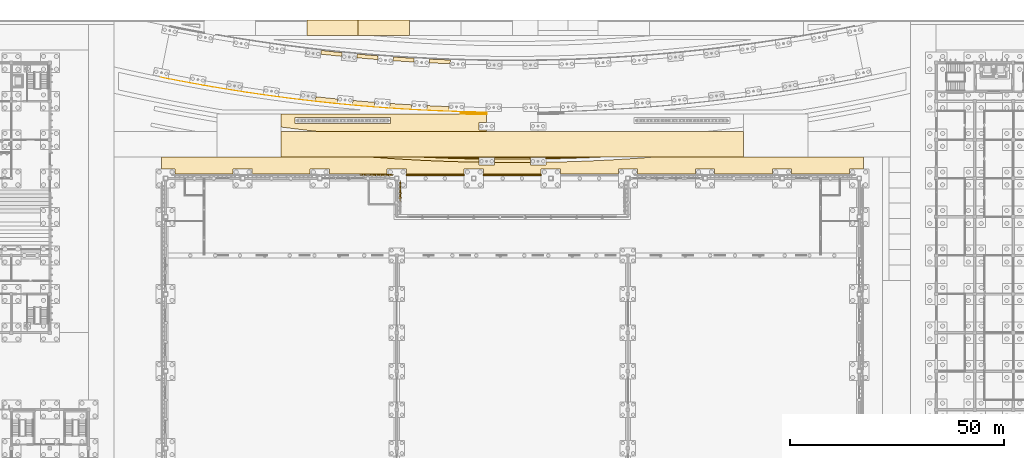
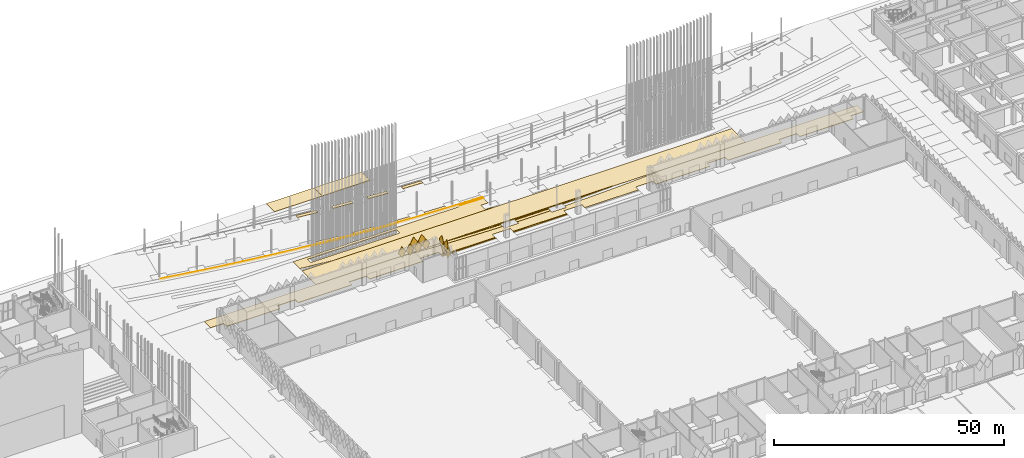
# One storey, part 172 of 198: 29 coverings.
"""IFC4 building model written with IfcOpenShell, lengths in metres."""

from ifc_helpers import new_model, si_unit, direction, frame, origin, place, context, subcontext, project, spatial, polyline, outline, extrude, material, layer, layer_set, material_profile, profile_set, type_object, element, save


model = new_model("IFC4")

# Units and contexts
model_context = context("Model", 3, precision=1e-05, world=origin(), true_north=direction((0.0, 1.0)))
body_context = subcontext(model_context, "Body", "Model", "MODEL_VIEW")
ifc_project = project(units=[si_unit("LENGTHUNIT", "METRE"), si_unit("AREAUNIT", "SQUARE_METRE"), si_unit("VOLUMEUNIT", "CUBIC_METRE"), si_unit("PLANEANGLEUNIT", "RADIAN"), si_unit("MASSUNIT", "GRAM", prefix="KILO")], contexts=[model_context])

# Site, building, storey
site_placement = place(None, origin())
site = spatial("IfcSite", under=ifc_project, at=site_placement, CompositionType="ELEMENT")
building_placement = place(site_placement, origin())
building = spatial("IfcBuilding", under=site, at=building_placement, Name="Opaline Strait Convention Centre", CompositionType="ELEMENT")
storey_placement = place(building_placement, origin())
storey = spatial("IfcBuildingStorey", under=building, at=storey_placement, Name="L00", CompositionType="ELEMENT", Elevation=0.0)

# Coverings
ifc_material_1 = material(Name="Asphalt road surfacing")
ifc_layer_1 = layer(ifc_material_1, 0.14990234375)
ifc_layer_set_1 = layer_set([ifc_layer_1], Name="Asphalt road surfacing")
covering_type_1 = type_object("IfcCoveringType", Name="Asphalt road surfacing 150", PredefinedType="FLOORING", material=ifc_layer_set_1)
covering_1_placement = place(storey_placement, frame((0.0, 0.0, -0.14990234375)))
element("IfcCovering", 1, at=covering_1_placement, inside=storey, type_object=covering_type_1, Name="Coach Bay 3 surfacing", PredefinedType="FLOORING", context=body_context, shape_type="SweptSolid", body=[
    extrude(outline(polyline([(132.0, 190.0), (132.0, 186.39990234375), (144.0, 186.39990234375), (144.0, 190.0), (132.0, 190.0)])), origin(), (0.0, 0.0, 1.0), 0.14990234375),
])
covering_2_placement = place(storey_placement, frame((0.0, 0.0, -0.14990234375)))
element("IfcCovering", 2, at=covering_2_placement, inside=storey, type_object=covering_type_1, Name="Coach Bay 4 surfacing", PredefinedType="FLOORING", context=body_context, shape_type="SweptSolid", body=[
    extrude(outline(polyline([(144.0, 190.0), (144.0, 186.39990234375), (156.0, 186.39990234375), (156.0, 190.0), (144.0, 190.0)])), origin(), (0.0, 0.0, 1.0), 0.14990234375),
])
ifc_material_2 = material(Name="White ceramic-faced aluminium tile", Category="aluminium")
ifc_material_profile_1 = material_profile(ifc_material_2, outline(polyline([(0.927978515625, 0.0), (0.0, 1.39208984375), (-0.927978515625, 0.0), (0.0, -1.39208984375), (0.927978515625, 0.0)])), Name="Diamond tile 1856x2784")
ifc_profile_set_1 = profile_set([ifc_material_profile_1], Name="White ceramic-faced aluminium tile")
covering_type_2 = type_object("IfcCoveringType", Name="Diamond wall tile 1856x2784x30 pivot 5 deg", PredefinedType="CLADDING", material=ifc_profile_set_1)
covering_3_placement = place(storey_placement, frame((153.800048828125, 151.5, 5.89208984375), z_axis=(0.995959849254, 0.0, -0.089799658539), x_axis=(0.0, 1.0, 0.0)))
element("IfcCovering", 3, at=covering_3_placement, inside=storey, type_object=covering_type_2, Name="Wall tile XT10 RW", PredefinedType="CLADDING", context=body_context, shape_type="SweptSolid", body=[
    extrude(outline(polyline([(0.927978515625, 0.0), (0.0, 1.39208984375), (-0.927978515625, 0.0), (0.0, -1.39208984375), (0.927978515625, 0.0)])), origin(), (0.0, 0.0, 1.0), 0.02978515625),
])
ifc_material_profile_2 = material_profile(ifc_material_2, outline(polyline([(0.927978515625, 0.0), (0.0, 1.39208984375), (-0.927978515625, 0.0), (0.0, -1.39208984375), (0.927978515625, 0.0)])), Name="Diamond tile 1856x2784")
ifc_profile_set_2 = profile_set([ifc_material_profile_2], Name="White ceramic-faced aluminium tile")
covering_type_3 = type_object("IfcCoveringType", Name="Diamond wall tile 1856x2784x30 pivot 5.5 deg", PredefinedType="CLADDING", material=ifc_profile_set_2)
covering_4_placement = place(storey_placement, frame((145.25, 153.800048828125, 4.39208984375), z_axis=(0.0, 0.995197410875, -0.097888269922), x_axis=(-1.0, 0.0, 0.0)))
element("IfcCovering", 4, at=covering_4_placement, inside=storey, type_object=covering_type_3, Name="Wall tile XT11 N", PredefinedType="CLADDING", context=body_context, shape_type="SweptSolid", body=[
    extrude(outline(polyline([(0.927978515625, 0.0), (0.0, 1.39208984375), (-0.927978515625, 0.0), (0.0, -1.39208984375), (0.927978515625, 0.0)])), origin(), (0.0, 0.0, 1.0), 0.030029296875),
])
ifc_material_profile_3 = material_profile(ifc_material_2, outline(polyline([(0.927978515625, 0.0), (0.0, 1.39208984375), (-0.927978515625, 0.0), (0.0, -1.39208984375), (0.927978515625, 0.0)])), Name="Diamond tile 1856x2784")
ifc_profile_set_3 = profile_set([ifc_material_profile_3], Name="White ceramic-faced aluminium tile")
covering_type_4 = type_object("IfcCoveringType", Name="Diamond wall tile 1856x2784x30 pivot 6 deg", PredefinedType="CLADDING", material=ifc_profile_set_3)
covering_5_placement = place(storey_placement, frame((153.800048828125, 150.5, 4.39208984375), z_axis=(0.994370656274, 0.0, -0.105957528947), x_axis=(0.0, 1.0, 0.0)))
element("IfcCovering", 5, at=covering_5_placement, inside=storey, type_object=covering_type_4, Name="Wall tile XT12 RW", PredefinedType="CLADDING", context=body_context, shape_type="SweptSolid", body=[
    extrude(outline(polyline([(0.927978515625, 0.0), (0.0, 1.39208984375), (-0.927978515625, 0.0), (0.0, -1.39208984375), (0.927978515625, 0.0)])), origin(), (0.0, 0.0, 1.0), 0.030029296875),
])
ifc_material_profile_4 = material_profile(ifc_material_2, outline(polyline([(0.927978515625, 0.0), (0.0, 1.39208984375), (-0.927978515625, 0.0), (0.0, -1.39208984375), (0.927978515625, 0.0)])), Name="Diamond tile 1856x2784")
ifc_profile_set_4 = profile_set([ifc_material_profile_4], Name="White ceramic-faced aluminium tile")
covering_type_5 = type_object("IfcCoveringType", Name="Diamond wall tile 1856x2784x30 pivot 7 deg", PredefinedType="CLADDING", material=ifc_profile_set_4)
for number, where, z_axis, x_axis, name in (
    (6, (151.25, 153.800048828125, 4.39208984375), (0.0, 0.992526177815, -0.122031907108), (-1.0, 0.0, 0.0), "Wall tile XT14 N"),
    (7, (147.25, 153.800048828125, 4.39208984375), (0.0, 0.992526177815, -0.122031907108), (-1.0, 0.0, 0.0), "Wall tile XT14 N"),
    (8, (150.25, 153.800048828125, 5.89208984375), (0.0, 0.992526177815, -0.122031907108), (-1.0, 0.0, 0.0), "Wall tile XT14 N"),
):
    element("IfcCovering", number, at=place(storey_placement, frame(where, z_axis=z_axis, x_axis=x_axis)), inside=storey, type_object=covering_type_5, Name=name, PredefinedType="CLADDING", context=body_context, shape_type="SweptSolid", body=[
        extrude(outline(polyline([(0.927978515625, 0.0), (0.0, 1.39208984375), (-0.927978515625, 0.0), (0.0, -1.39208984375), (0.927978515625, 0.0)])), origin(), (0.0, 0.0, 1.0), 0.030029296875),
    ])
ifc_material_profile_5 = material_profile(ifc_material_2, outline(polyline([(0.927978515625, 0.0), (0.0, 1.39208984375), (-0.927978515625, 0.0), (0.0, -1.39208984375), (0.927978515625, 0.0)])), Name="Diamond tile 1856x2784")
ifc_profile_set_5 = profile_set([ifc_material_profile_5], Name="White ceramic-faced aluminium tile")
covering_type_6 = type_object("IfcCoveringType", Name="Diamond wall tile 1856x2784x30 pivot 7.5 deg", PredefinedType="CLADDING", material=ifc_profile_set_5)
for number, where, z_axis, x_axis, name in (
    (9, (149.25, 153.800048828125, 4.39208984375), (0.0, 0.991509530601, -0.1300340368), (-1.0, 0.0, 0.0), "Wall tile XT15 N"),
    (10, (148.25, 153.800048828125, 5.89208984375), (0.0, 0.991509530601, -0.1300340368), (-1.0, 0.0, 0.0), "Wall tile XT15 N"),
):
    element("IfcCovering", number, at=place(storey_placement, frame(where, z_axis=z_axis, x_axis=x_axis)), inside=storey, type_object=covering_type_6, Name=name, PredefinedType="CLADDING", context=body_context, shape_type="SweptSolid", body=[
        extrude(outline(polyline([(0.927978515625, 0.0), (0.0, 1.39208984375), (-0.927978515625, 0.0), (0.0, -1.39208984375), (0.927978515625, 0.0)])), origin(), (0.0, 0.0, 1.0), 0.030029296875),
    ])
ifc_material_profile_6 = material_profile(ifc_material_2, outline(polyline([(0.927978515625, 0.0), (0.0, 1.39208984375), (-0.927978515625, 0.0), (0.0, -1.39208984375), (0.927978515625, 0.0)])), Name="Diamond tile 1856x2784")
ifc_profile_set_6 = profile_set([ifc_material_profile_6], Name="White ceramic-faced aluminium tile")
covering_type_7 = type_object("IfcCoveringType", Name="Diamond wall tile 1856x2784x30 pivot 8 deg", PredefinedType="CLADDING", material=ifc_profile_set_6)
covering_6_placement = place(storey_placement, frame((153.800048828125, 149.5, 5.89208984375), z_axis=(0.990274204789, 0.0, -0.139129433731), x_axis=(0.0, 1.0, 0.0)))
element("IfcCovering", 11, at=covering_6_placement, inside=storey, type_object=covering_type_7, Name="Wall tile XT16 RW", PredefinedType="CLADDING", context=body_context, shape_type="SweptSolid", body=[
    extrude(outline(polyline([(0.927978515625, 0.0), (0.0, 1.39208984375), (-0.927978515625, 0.0), (0.0, -1.39208984375), (0.927978515625, 0.0)])), origin(), (0.0, 0.0, 1.0), 0.02978515625),
])
ifc_material_profile_7 = material_profile(ifc_material_2, outline(polyline([(0.927978515625, 0.0), (0.0, 1.39208984375), (-0.927978515625, 0.0), (0.0, -1.39208984375), (0.927978515625, 0.0)])), Name="Diamond tile 1856x2784")
ifc_profile_set_7 = profile_set([ifc_material_profile_7], Name="White ceramic-faced aluminium tile")
covering_type_8 = type_object("IfcCoveringType", Name="Diamond wall tile 1856x2784x30 pivot 8.5 deg", PredefinedType="CLADDING", material=ifc_profile_set_7)
covering_7_placement = place(storey_placement, frame((153.800048828125, 148.5, 4.39208984375), z_axis=(0.987895005451, 0.0, -0.15512400912), x_axis=(0.0, 1.0, 0.0)))
element("IfcCovering", 12, at=covering_7_placement, inside=storey, type_object=covering_type_8, Name="Wall tile XT17 RW", PredefinedType="CLADDING", context=body_context, shape_type="SweptSolid", body=[
    extrude(outline(polyline([(0.927978515625, 0.0), (0.0, 1.39208984375), (-0.927978515625, 0.0), (0.0, -1.39208984375), (0.927978515625, 0.0)])), origin(), (0.0, 0.0, 1.0), 0.02978515625),
])
ifc_material_3 = material(Name="Concrete C30 red oxide", Category="concrete")
ifc_layer_2 = layer(ifc_material_3, 0.14990234375)
ifc_layer_set_2 = layer_set([ifc_layer_2], Name="Concrete C30 red oxide")
covering_type_9 = type_object("IfcCoveringType", Name="Fire lane concrete paving 150 C30", PredefinedType="FLOORING", material=ifc_layer_set_2)
covering_8_placement = place(storey_placement, frame((0.0, 0.0, -0.14990234375)))
element("IfcCovering", 13, at=covering_8_placement, inside=storey, type_object=covering_type_9, Name="External Fire Appliance Lane Exhibition North Centre surfacing", PredefinedType="FLOORING", context=body_context, shape_type="SweptSolid", body=[
    extrude(outline(polyline([(234.0, 164.0), (126.0, 164.0), (126.0, 158.0), (234.0, 158.0), (234.0, 164.0)])), origin(), (0.0, 0.0, 1.0), 0.14990234375),
])
ifc_material_4 = material(Name="Granite paving slabs on mortar bed", Category="masonry")
ifc_layer_3 = layer(ifc_material_4, 0.14990234375)
ifc_layer_set_3 = layer_set([ifc_layer_3], Name="Granite paving slabs on mortar bed")
covering_type_10 = type_object("IfcCoveringType", Name="Granite paving 150", PredefinedType="FLOORING", material=ifc_layer_set_3)
covering_9_placement = place(storey_placement, frame((0.0, 0.0, -0.14990234375)))
element("IfcCovering", 14, at=covering_9_placement, inside=storey, type_object=covering_type_10, Name="Entrance Walk surfacing", PredefinedType="FLOORING", context=body_context, shape_type="SweptSolid", body=[
    extrude(outline(polyline([(258.7451171875, 155.2548828125), (262.0, 155.2548828125), (262.0, 158.0), (213.140380859375, 158.0), (211.75048828125, 157.892333984375), (211.662109375, 157.8857421875), (209.63720703125, 157.73876953125), (209.548828125, 157.732666015625), (207.523681640625, 157.595947265625), (207.435302734375, 157.590087890625), (205.410400390625, 157.463623046875), (205.32177734375, 157.45849609375), (203.296875, 157.341796875), (203.208251953125, 157.3369140625), (201.18310546875, 157.230712890625), (201.094482421875, 157.226318359375), (199.069580078125, 157.130126953125), (198.980712890625, 157.126220703125), (196.955810546875, 157.0400390625), (196.866943359375, 157.03662109375), (194.842041015625, 156.960693359375), (194.753173828125, 156.95751953125), (192.728271484375, 156.8916015625), (192.639404296875, 156.888916015625), (190.6142578125, 156.833251953125), (190.525390625, 156.8310546875), (188.50048828125, 156.785400390625), (188.41162109375, 156.78369140625), (187.804931640625, 156.773193359375), (187.804931640625, 156.094970703125), (184.195068359375, 156.094970703125), (184.195068359375, 156.720947265625), (184.18359375, 156.720703125), (182.158447265625, 156.70556640625), (182.069580078125, 156.705078125), (180.04443359375, 156.7001953125), (179.95556640625, 156.7001953125), (177.930419921875, 156.705078125), (177.841552734375, 156.70556640625), (175.81640625, 156.720703125), (175.804931640625, 156.720947265625), (175.804931640625, 156.094970703125), (172.195068359375, 156.094970703125), (172.195068359375, 156.773193359375), (171.58837890625, 156.78369140625), (171.49951171875, 156.785400390625), (169.474609375, 156.8310546875), (169.3857421875, 156.833251953125), (167.360595703125, 156.888916015625), (167.271728515625, 156.8916015625), (165.246826171875, 156.95751953125), (165.157958984375, 156.960693359375), (163.133056640625, 157.03662109375), (163.044189453125, 157.0400390625), (161.019287109375, 157.126220703125), (160.930419921875, 157.130126953125), (158.905517578125, 157.226318359375), (158.81689453125, 157.230712890625), (156.791748046875, 157.3369140625), (156.703125, 157.341796875), (154.67822265625, 157.45849609375), (154.589599609375, 157.463623046875), (152.564697265625, 157.590087890625), (152.476318359375, 157.595947265625), (150.451171875, 157.732666015625), (150.36279296875, 157.73876953125), (148.337890625, 157.8857421875), (148.24951171875, 157.892333984375), (146.859619140625, 158.0), (98.0, 158.0), (98.0, 155.2548828125), (101.2548828125, 155.2548828125), (101.2548828125, 154.0), (114.7451171875, 154.0), (114.7451171875, 155.2548828125), (119.2548828125, 155.2548828125), (119.2548828125, 154.0), (132.7451171875, 154.0), (132.7451171875, 155.2548828125), (137.2548828125, 155.2548828125), (137.2548828125, 154.0), (150.7451171875, 154.0), (150.7451171875, 155.2548828125), (155.2548828125, 155.2548828125), (155.2548828125, 154.0), (168.7451171875, 154.0), (168.7451171875, 155.2548828125), (173.2548828125, 155.2548828125), (173.2548828125, 154.0), (186.7451171875, 154.0), (186.7451171875, 155.2548828125), (191.2548828125, 155.2548828125), (191.2548828125, 154.0), (204.7451171875, 154.0), (204.7451171875, 155.2548828125), (209.2548828125, 155.2548828125), (209.2548828125, 154.0), (222.7451171875, 154.0), (222.7451171875, 155.2548828125), (227.2548828125, 155.2548828125), (227.2548828125, 154.0), (240.7451171875, 154.0), (240.7451171875, 155.2548828125), (245.2548828125, 155.2548828125), (245.2548828125, 154.0), (258.7451171875, 154.0), (258.7451171875, 155.2548828125)])), origin(), (0.0, 0.0, 1.0), 0.14990234375),
])
covering_10_placement = place(storey_placement, frame((0.0, 0.0, -0.14990234375)))
element("IfcCovering", 15, at=covering_10_placement, inside=storey, type_object=covering_type_10, Name="Entrance Walk surfacing", PredefinedType="FLOORING", context=body_context, shape_type="SweptSolid", body=[
    extrude(outline(polyline([(198.94677734375, 157.92529296875), (199.031494140625, 157.92919921875), (200.52197265625, 158.0), (159.47802734375, 158.0), (160.968505859375, 157.92919921875), (161.05322265625, 157.92529296875), (163.078125, 157.83935546875), (163.162841796875, 157.8359375), (165.18798828125, 157.760009765625), (165.272705078125, 157.757080078125), (167.2978515625, 157.691162109375), (167.3828125, 157.688720703125), (169.40771484375, 157.633056640625), (169.49267578125, 157.630859375), (171.517578125, 157.585205078125), (171.6025390625, 157.58349609375), (172.195068359375, 157.5732421875), (172.195068359375, 157.905029296875), (175.804931640625, 157.905029296875), (175.804931640625, 157.52099609375), (175.822509765625, 157.520751953125), (177.847412109375, 157.505615234375), (177.9326171875, 157.505126953125), (179.95751953125, 157.5), (180.04248046875, 157.5), (182.0673828125, 157.505126953125), (182.152587890625, 157.505615234375), (184.177490234375, 157.520751953125), (184.195068359375, 157.52099609375), (184.195068359375, 157.905029296875), (187.804931640625, 157.905029296875), (187.804931640625, 157.5732421875), (188.3974609375, 157.58349609375), (188.482421875, 157.585205078125), (190.50732421875, 157.630859375), (190.59228515625, 157.633056640625), (192.6171875, 157.688720703125), (192.7021484375, 157.691162109375), (194.727294921875, 157.757080078125), (194.81201171875, 157.760009765625), (196.837158203125, 157.8359375), (196.921875, 157.83935546875), (198.94677734375, 157.92529296875)])), origin(), (0.0, 0.0, 1.0), 0.14990234375),
])
covering_11_placement = place(storey_placement, frame((0.0, 0.0, -0.14990234375)))
element("IfcCovering", 16, at=covering_11_placement, inside=storey, type_object=covering_type_10, Name="Forecourt surfacing", PredefinedType="FLOORING", context=body_context, shape_type="SweptSolid", body=[
    extrude(outline(polyline([(131.9716796875, 164.259521484375), (133.99658203125, 164.03173828125), (134.060546875, 164.024658203125), (134.29052734375, 164.0), (174.0, 164.0), (174.0, 164.294921875), (172.195068359375, 164.294921875), (172.195068359375, 166.10498046875), (174.0, 166.10498046875), (174.0, 167.944091796875), (173.842529296875, 167.946044921875), (173.8095703125, 167.946533203125), (171.784423828125, 167.98193359375), (171.75146484375, 167.982666015625), (169.7265625, 168.0283203125), (169.693603515625, 168.029052734375), (168.0, 168.07568359375), (168.0, 168.0), (126.0, 168.0), (126.0, 164.989013671875), (127.730712890625, 164.7685546875), (127.794189453125, 164.760498046875), (129.8193359375, 164.512451171875), (129.8828125, 164.5048828125), (131.907958984375, 164.266845703125), (131.9716796875, 164.259521484375)]), holes=[polyline([(129.215087890625, 167.205078125), (151.5849609375, 167.205078125), (151.5849609375, 165.794921875), (129.215087890625, 165.794921875), (129.215087890625, 167.205078125)])]), origin(), (0.0, 0.0, 1.0), 0.14990234375),
])
covering_12_placement = place(storey_placement, frame((0.0, 0.0, -0.14990234375)))
element("IfcCovering", 17, at=covering_12_placement, inside=storey, type_object=covering_type_10, Name="Forecourt surfacing", PredefinedType="FLOORING", context=body_context, shape_type="SweptSolid", body=[
    extrude(outline(polyline([(165.13671875, 168.86962890625), (165.16552734375, 169.783447265625), (160.092041015625, 169.99853515625), (160.043701171875, 169.085693359375), (161.4951171875, 169.0166015625), (161.5244140625, 169.015380859375), (163.549560546875, 168.92919921875), (163.578857421875, 168.927978515625), (165.13671875, 168.86962890625)])), origin(), (0.0, 0.0, 1.0), 0.14990234375),
])
covering_13_placement = place(storey_placement, frame((0.0, 0.0, -0.14990234375)))
element("IfcCovering", 18, at=covering_13_placement, inside=storey, type_object=covering_type_10, Name="Forecourt surfacing", PredefinedType="FLOORING", context=body_context, shape_type="SweptSolid", body=[
    extrude(outline(polyline([(156.438720703125, 169.27685546875), (156.487060546875, 170.189208984375), (151.419677734375, 170.51123046875), (151.35205078125, 169.598876953125), (153.277587890625, 169.468994140625), (153.306884765625, 169.467041015625), (155.33203125, 169.340576171875), (155.361328125, 169.338623046875), (156.438720703125, 169.27685546875)])), origin(), (0.0, 0.0, 1.0), 0.14990234375),
])
covering_14_placement = place(storey_placement, frame((0.0, 0.0, -0.14990234375)))
element("IfcCovering", 19, at=covering_14_placement, inside=storey, type_object=covering_type_10, Name="Forecourt surfacing", PredefinedType="FLOORING", context=body_context, shape_type="SweptSolid", body=[
    extrude(outline(polyline([(147.751953125, 169.866455078125), (147.8193359375, 170.778076171875), (142.76025390625, 171.206298828125), (142.673583984375, 170.296142578125), (143.006591796875, 170.265380859375), (143.03564453125, 170.2626953125), (145.060791015625, 170.08544921875), (145.08984375, 170.0830078125), (147.114990234375, 169.916015625), (147.14404296875, 169.91357421875), (147.751953125, 169.866455078125)])), origin(), (0.0, 0.0, 1.0), 0.14990234375),
])
covering_15_placement = place(storey_placement, frame((0.0, 0.0, -0.14990234375)))
element("IfcCovering", 20, at=covering_15_placement, inside=storey, type_object=covering_type_10, Name="Forecourt surfacing", PredefinedType="FLOORING", context=body_context, shape_type="SweptSolid", body=[
    extrude(outline(polyline([(139.07958984375, 170.637939453125), (139.16650390625, 171.54833984375), (134.117919921875, 172.08251953125), (134.012451171875, 171.1748046875), (134.790283203125, 171.087158203125), (134.8193359375, 171.083984375), (136.844482421875, 170.866455078125), (136.873291015625, 170.86328125), (138.8984375, 170.65576171875), (138.927490234375, 170.65283203125), (139.07958984375, 170.637939453125)])), origin(), (0.0, 0.0, 1.0), 0.14990234375),
])
covering_16_placement = place(storey_placement, frame((0.0, 0.0, -0.14990234375)))
element("IfcCovering", 21, at=covering_16_placement, inside=storey, type_object=covering_type_10, Name="Forecourt surfacing", PredefinedType="FLOORING", context=body_context, shape_type="SweptSolid", body=[
    extrude(outline(polyline([(160.667724609375, 180.869140625), (160.620849609375, 179.984619140625), (165.483154296875, 179.778564453125), (165.511474609375, 180.6640625), (164.035888671875, 180.71923828125), (162.040283203125, 180.80419921875), (160.653076171875, 180.8701171875), (160.667724609375, 180.869140625)])), origin(), (0.0, 0.0, 1.0), 0.14990234375),
])
covering_17_placement = place(storey_placement, frame((0.0, 0.0, -0.14990234375)))
element("IfcCovering", 22, at=covering_17_placement, inside=storey, type_object=covering_type_10, Name="Forecourt surfacing", PredefinedType="FLOORING", context=body_context, shape_type="SweptSolid", body=[
    extrude(outline(polyline([(152.22412109375, 181.366943359375), (152.15869140625, 180.48388671875), (157.015869140625, 180.17529296875), (157.062744140625, 181.06005859375), (157.134765625, 181.05615234375), (156.053466796875, 181.118408203125), (154.0576171875, 181.2431640625), (152.22412109375, 181.366943359375)])), origin(), (0.0, 0.0, 1.0), 0.14990234375),
])
covering_18_placement = place(storey_placement, frame((0.0, 0.0, -0.14990234375)))
element("IfcCovering", 23, at=covering_18_placement, inside=storey, type_object=covering_type_10, Name="Forecourt surfacing", PredefinedType="FLOORING", context=body_context, shape_type="SweptSolid", body=[
    extrude(outline(polyline([(143.7919921875, 182.04296875), (143.708251953125, 181.161376953125), (148.558349609375, 180.75048828125), (148.623779296875, 181.63427734375), (148.070556640625, 181.67724609375), (146.07470703125, 181.841796875), (144.078857421875, 182.0166015625), (143.7919921875, 182.04296875)])), origin(), (0.0, 0.0, 1.0), 0.14990234375),
])
covering_19_placement = place(storey_placement, frame((0.0, 0.0, -0.14990234375)))
element("IfcCovering", 24, at=covering_19_placement, inside=storey, type_object=covering_type_10, Name="Forecourt surfacing", PredefinedType="FLOORING", context=body_context, shape_type="SweptSolid", body=[
    extrude(outline(polyline([(135.37548828125, 182.8955078125), (135.273193359375, 182.015380859375), (140.114501953125, 181.50341796875), (140.1982421875, 182.385009765625), (140.087158203125, 182.395751953125), (138.091064453125, 182.600341796875), (136.09521484375, 182.81494140625), (135.30517578125, 182.90380859375), (135.37548828125, 182.8955078125)])), origin(), (0.0, 0.0, 1.0), 0.14990234375),
])
ifc_material_5 = material(Name="Permeable concrete block paving C30", Category="concrete")
ifc_layer_4 = layer(ifc_material_5, 0.14990234375)
ifc_layer_set_4 = layer_set([ifc_layer_4], Name="Permeable concrete block paving C30")
covering_type_11 = type_object("IfcCoveringType", Name="Permeable block paving 150", PredefinedType="FLOORING", material=ifc_layer_set_4)
covering_20_placement = place(storey_placement, frame((0.0, 0.0, -0.14990234375)))
element("IfcCovering", 25, at=covering_20_placement, inside=storey, type_object=covering_type_11, Name="Arcade edge strip surfacing", PredefinedType="FLOORING", context=body_context, shape_type="SweptSolid", body=[
    extrude(outline(polyline([(171.784423828125, 167.98193359375), (173.8095703125, 167.946533203125), (173.842529296875, 167.946044921875), (174.0, 167.944091796875), (174.0, 168.635498046875), (173.84130859375, 168.63720703125), (173.84130859375, 168.646240234375), (173.82177734375, 168.646484375), (171.796875, 168.681884765625), (171.767333984375, 168.6826171875), (169.7421875, 168.72802734375), (169.712890625, 168.728759765625), (168.744873046875, 168.75537109375), (168.744384765625, 168.7451171875), (165.13623046875, 168.85986328125), (165.13671875, 168.86962890625), (163.578857421875, 168.927978515625), (163.549560546875, 168.92919921875), (161.5244140625, 169.015380859375), (161.4951171875, 169.0166015625), (160.043701171875, 169.085693359375), (160.043212890625, 169.07568359375), (156.438232421875, 169.2666015625), (156.438720703125, 169.27685546875), (155.361328125, 169.338623046875), (155.33203125, 169.340576171875), (153.306884765625, 169.467041015625), (153.277587890625, 169.468994140625), (151.35205078125, 169.598876953125), (151.351318359375, 169.589599609375), (147.751220703125, 169.856689453125), (147.751953125, 169.866455078125), (147.14404296875, 169.91357421875), (147.114990234375, 169.916015625), (145.08984375, 170.0830078125), (145.060791015625, 170.08544921875), (143.03564453125, 170.2626953125), (143.006591796875, 170.265380859375), (142.673583984375, 170.296142578125), (142.672607421875, 170.28662109375), (139.078857421875, 170.62890625), (139.07958984375, 170.637939453125), (138.927490234375, 170.65283203125), (138.8984375, 170.65576171875), (136.873291015625, 170.86328125), (136.844482421875, 170.866455078125), (134.8193359375, 171.083984375), (134.790283203125, 171.087158203125), (134.012451171875, 171.1748046875), (134.01123046875, 171.164794921875), (130.42529296875, 171.581787109375), (130.426513671875, 171.59130859375), (128.65771484375, 171.807861328125), (128.62890625, 171.811279296875), (126.603759765625, 172.069580078125), (126.574951171875, 172.073486328125), (125.3720703125, 172.23291015625), (125.370849609375, 172.222900390625), (121.79443359375, 172.7138671875), (121.795654296875, 172.723876953125), (120.442626953125, 172.91650390625), (120.4140625, 172.920654296875), (118.38916015625, 173.219482421875), (118.360595703125, 173.2236328125), (116.756591796875, 173.46826171875), (116.755126953125, 173.458740234375), (113.189453125, 174.023193359375), (113.191162109375, 174.033203125), (112.228759765625, 174.189453125), (112.2001953125, 174.194091796875), (110.17529296875, 174.533203125), (110.147216796875, 174.5380859375), (108.169189453125, 174.87939453125), (108.16748046875, 174.87060546875), (104.6142578125, 175.50732421875), (104.615966796875, 175.516845703125), (104.015625, 175.62646484375), (103.98779296875, 175.631591796875), (101.962646484375, 176.01123046875), (101.934814453125, 176.0166015625), (99.90966796875, 176.406494140625), (99.8818359375, 176.411865234375), (99.613525390625, 176.46484375), (99.61181640625, 176.455810546875), (97.85595703125, 176.806884765625), (97.83740234375, 176.713623046875), (99.83740234375, 176.318603515625), (99.865234375, 176.313232421875), (101.865234375, 175.927978515625), (101.893310546875, 175.922607421875), (103.893310546875, 175.54736328125), (103.921630859375, 175.542236328125), (105.921630859375, 175.1767578125), (105.94970703125, 175.171630859375), (107.94970703125, 174.816162109375), (107.97802734375, 174.81103515625), (109.97802734375, 174.46533203125), (110.006591796875, 174.460693359375), (112.006591796875, 174.124755859375), (112.034912109375, 174.1201171875), (114.034912109375, 173.794189453125), (114.0634765625, 173.78955078125), (116.0634765625, 173.473388671875), (116.092041015625, 173.468994140625), (118.092041015625, 173.162841796875), (118.12060546875, 173.15869140625), (120.12060546875, 172.8623046875), (120.1494140625, 172.858154296875), (122.1494140625, 172.57177734375), (122.17822265625, 172.567626953125), (124.17822265625, 172.291015625), (124.20703125, 172.287109375), (126.20703125, 172.0205078125), (126.23583984375, 172.016845703125), (128.23583984375, 171.760009765625), (128.264892578125, 171.75634765625), (130.264892578125, 171.509521484375), (130.293701171875, 171.505859375), (132.293701171875, 171.268798828125), (132.322998046875, 171.265380859375), (134.322998046875, 171.038330078125), (134.35205078125, 171.03515625), (136.35205078125, 170.81787109375), (136.381103515625, 170.814697265625), (138.381103515625, 170.607421875), (138.410400390625, 170.6044921875), (140.410400390625, 170.40673828125), (140.439453125, 170.404052734375), (142.439453125, 170.21630859375), (142.46875, 170.213623046875), (144.46875, 170.035888671875), (144.498046875, 170.033447265625), (146.498046875, 169.865478515625), (146.52734375, 169.863037109375), (148.52734375, 169.705078125), (148.556884765625, 169.702880859375), (150.556884765625, 169.5546875), (150.586181640625, 169.552490234375), (152.586181640625, 169.414306640625), (152.615478515625, 169.412353515625), (154.615478515625, 169.283935546875), (154.64501953125, 169.281982421875), (156.64501953125, 169.16357421875), (156.674560546875, 169.161865234375), (158.674560546875, 169.05322265625), (158.7041015625, 169.0517578125), (160.7041015625, 168.952880859375), (160.733642578125, 168.95166015625), (162.733642578125, 168.86279296875), (162.76318359375, 168.861572265625), (164.76318359375, 168.782470703125), (164.792724609375, 168.781494140625), (166.792724609375, 168.712158203125), (166.822265625, 168.711181640625), (168.0, 168.676513671875), (168.0, 168.07568359375), (169.693603515625, 168.029052734375), (169.7265625, 168.0283203125), (171.75146484375, 167.982666015625), (171.784423828125, 167.98193359375)])), origin(), (0.0, 0.0, 1.0), 0.14990234375),
])
covering_21_placement = place(storey_placement, frame((0.0, 0.0, -0.14990234375)))
element("IfcCovering", 26, at=covering_21_placement, inside=storey, type_object=covering_type_11, Name="Forecourt paving band 2 surfacing", PredefinedType="FLOORING", context=body_context, shape_type="SweptSolid", body=[
    extrude(outline(polyline([(182.158447265625, 156.70556640625), (184.18359375, 156.720703125), (184.195068359375, 156.720947265625), (184.195068359375, 157.52099609375), (184.177490234375, 157.520751953125), (182.152587890625, 157.505615234375), (182.0673828125, 157.505126953125), (180.04248046875, 157.5), (179.95751953125, 157.5), (177.9326171875, 157.505126953125), (177.847412109375, 157.505615234375), (175.822509765625, 157.520751953125), (175.804931640625, 157.52099609375), (175.804931640625, 156.720947265625), (175.81640625, 156.720703125), (177.841552734375, 156.70556640625), (177.930419921875, 156.705078125), (179.95556640625, 156.7001953125), (180.04443359375, 156.7001953125), (182.069580078125, 156.705078125), (182.158447265625, 156.70556640625)])), origin(), (0.0, 0.0, 1.0), 0.14990234375),
])
covering_22_placement = place(storey_placement, frame((0.0, 0.0, -0.14990234375)))
element("IfcCovering", 27, at=covering_22_placement, inside=storey, type_object=covering_type_11, Name="Forecourt paving band 2 surfacing", PredefinedType="FLOORING", context=body_context, shape_type="SweptSolid", body=[
    extrude(outline(polyline([(171.49951171875, 156.785400390625), (171.58837890625, 156.78369140625), (172.195068359375, 156.773193359375), (172.195068359375, 157.5732421875), (171.6025390625, 157.58349609375), (171.517578125, 157.585205078125), (169.49267578125, 157.630859375), (169.40771484375, 157.633056640625), (167.3828125, 157.688720703125), (167.2978515625, 157.691162109375), (165.272705078125, 157.757080078125), (165.18798828125, 157.760009765625), (163.162841796875, 157.8359375), (163.078125, 157.83935546875), (161.05322265625, 157.92529296875), (160.968505859375, 157.92919921875), (159.47802734375, 158.0), (146.859619140625, 158.0), (148.24951171875, 157.892333984375), (148.337890625, 157.8857421875), (150.36279296875, 157.73876953125), (150.451171875, 157.732666015625), (152.476318359375, 157.595947265625), (152.564697265625, 157.590087890625), (154.589599609375, 157.463623046875), (154.67822265625, 157.45849609375), (156.703125, 157.341796875), (156.791748046875, 157.3369140625), (158.81689453125, 157.230712890625), (158.905517578125, 157.226318359375), (160.930419921875, 157.130126953125), (161.019287109375, 157.126220703125), (163.044189453125, 157.0400390625), (163.133056640625, 157.03662109375), (165.157958984375, 156.960693359375), (165.246826171875, 156.95751953125), (167.271728515625, 156.8916015625), (167.360595703125, 156.888916015625), (169.3857421875, 156.833251953125), (169.474609375, 156.8310546875), (171.49951171875, 156.785400390625)])), origin(), (0.0, 0.0, 1.0), 0.14990234375),
])
ifc_material_6 = material(Name="Concrete C30 exposed aggregate", Category="concrete")
ifc_layer_5 = layer(ifc_material_6, 0.14990234375)
ifc_layer_set_5 = layer_set([ifc_layer_5], Name="Concrete C30 exposed aggregate")
covering_type_12 = type_object("IfcCoveringType", Name="Site paving 150", PredefinedType="FLOORING", material=ifc_layer_set_5)
covering_23_placement = place(storey_placement, frame((0.0, 0.0, -0.14990234375)))
element("IfcCovering", 28, at=covering_23_placement, inside=storey, type_object=covering_type_12, Name="Site paving surfacing", PredefinedType="FLOORING", context=body_context, shape_type="SweptSolid", body=[
    extrude(outline(polyline([(168.7451171875, 153.60498046875), (168.7451171875, 154.0), (155.2548828125, 154.0), (155.2548828125, 153.60498046875), (168.7451171875, 153.60498046875)])), origin(), (0.0, 0.0, 1.0), 0.14990234375),
])
covering_24_placement = place(storey_placement, frame((0.0, 0.0, -0.14990234375)))
element("IfcCovering", 29, at=covering_24_placement, inside=storey, type_object=covering_type_12, Name="Site paving surfacing", PredefinedType="FLOORING", context=body_context, shape_type="SweptSolid", body=[
    extrude(outline(polyline([(186.7451171875, 153.60498046875), (186.7451171875, 154.0), (173.2548828125, 154.0), (173.2548828125, 153.60498046875), (186.7451171875, 153.60498046875)])), origin(), (0.0, 0.0, 1.0), 0.14990234375),
])

save(model, "model.ifc")
